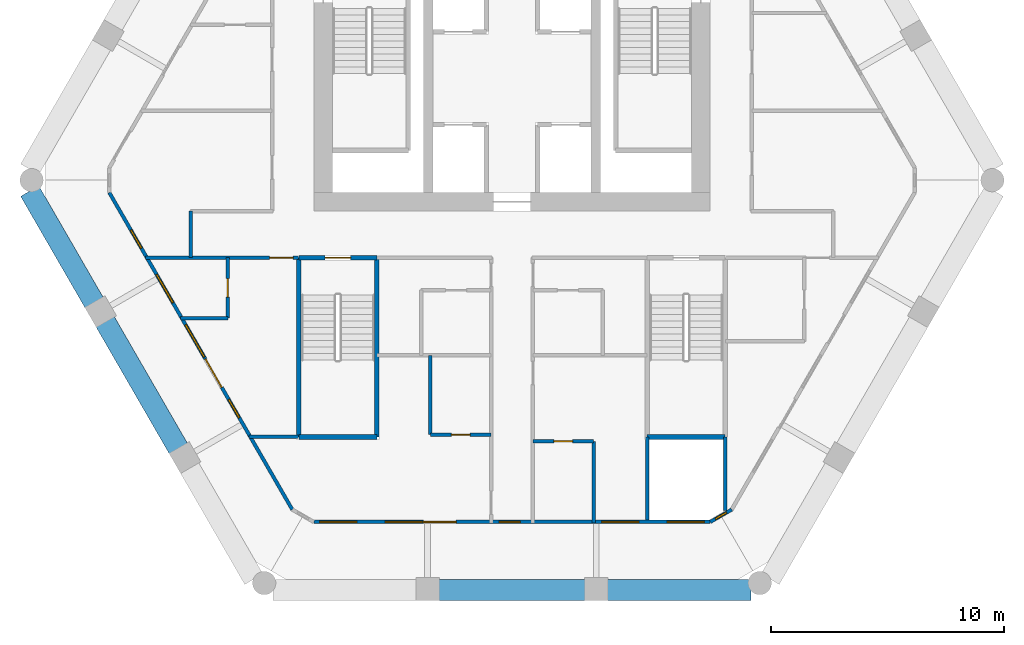
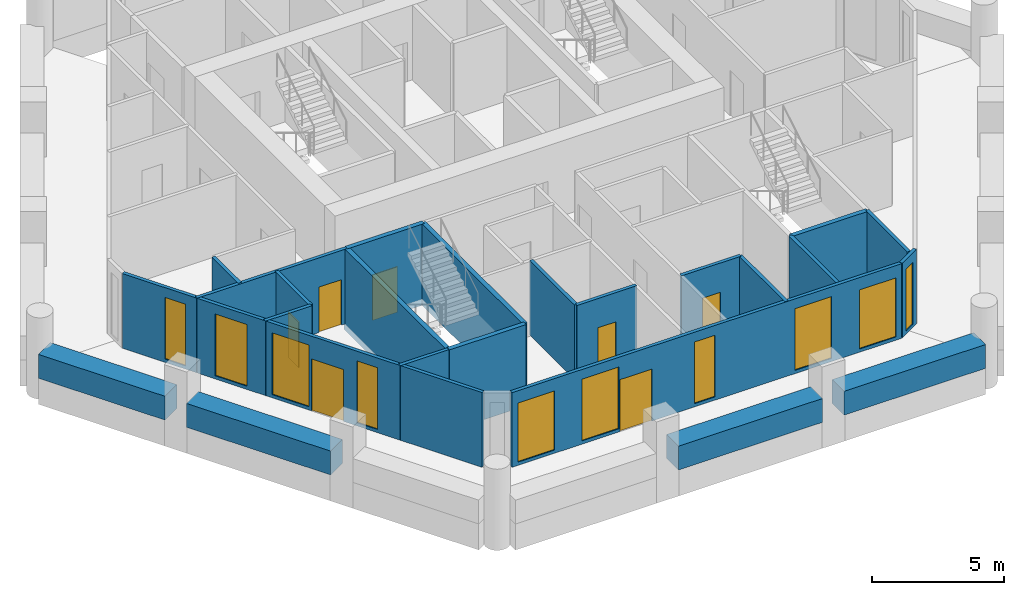
# One storey, part 2 of 7: 23 walls, 10 windows, 7 doors, 17 openings.
"""IFC4 building model written with IfcOpenShell, lengths in metres."""

from ifc_helpers import new_model, si_unit, direction, frame, frame_2d, origin, place, context, subcontext, project, spatial, rectangle, extrude, material, layer, layer_set, type_object, element, fill, save


model = new_model("IFC4")

# Units and contexts
model_context = context("Model", 3, precision=1e-05, world=origin(), true_north=direction((0.0, 1.0)))
body_context = subcontext(model_context, "Body", "Model", "MODEL_VIEW")
ifc_project = project(units=[si_unit("LENGTHUNIT", "METRE"), si_unit("AREAUNIT", "SQUARE_METRE"), si_unit("VOLUMEUNIT", "CUBIC_METRE"), si_unit("PLANEANGLEUNIT", "RADIAN"), si_unit("MASSUNIT", "GRAM", prefix="KILO")], contexts=[model_context])

# Site, building, storey
site_placement = place(None, origin())
site = spatial("IfcSite", under=ifc_project, at=site_placement, CompositionType="ELEMENT")
building_placement = place(site_placement, origin())
building = spatial("IfcBuilding", under=site, at=building_placement, Name="Ostrander Bayou Hotel Tower", CompositionType="ELEMENT")
storey_placement = place(building_placement, frame((0.0, 0.0, 172.0)))
storey = spatial("IfcBuildingStorey", under=building, at=storey_placement, Name="L42", CompositionType="ELEMENT", Elevation=172.0)

# Wall, openings, door, windows
ifc_material_1 = material(Name="Aluminium framed insulated wall", Category="aluminium")
ifc_layer_1 = layer(ifc_material_1, 0.14990234375)
ifc_layer_set_1 = layer_set([ifc_layer_1], Name="GW1 glass-line wall 150 mm")
wall_type_1 = type_object("IfcWallType", Name="GW1 glass-line wall 150 mm", PredefinedType="SOLIDWALL", material=ifc_layer_set_1)
wall_1_placement = place(storey_placement, frame((-17.28662109375, -0.908935546875, 0.0), z_axis=(0.0, 0.0, 1.0), x_axis=(0.500004460396, -0.866022828558, 0.0)))
wall_1 = element("IfcWall", 1, at=wall_1_placement, inside=storey, type_object=wall_type_1, Name="GW1 L42 SW 1", PredefinedType="SOLIDWALL", context=body_context, shape_type="SweptSolid", body=[
    extrude(rectangle(XDim=15.712158203125, YDim=0.14990234375, at=frame_2d((7.85595703125, 0.0))), origin(), (0.0, 0.0, 1.0), 3.449951171875),
])
opening_1_placement = place(wall_1_placement, frame((1.856201171875, 0.0, 0.14990234375)))
opening_1 = element("IfcOpeningElement", 2, at=opening_1_placement, cuts=wall_1, Name="Opening W17", PredefinedType="OPENING", context=body_context, shape_type="SweptSolid", body=[
    extrude(rectangle(XDim=0.89990234375, YDim=2.85009765625, at=frame_2d((0.449951171875, 1.425048828125))), frame((0.0, 0.074951171875, 0.0), z_axis=(0.0, -1.0, 0.0), x_axis=(1.0, 0.0, 0.0)), (0.0, 0.0, 1.0), 0.14990234375),
])
opening_2_placement = place(wall_1_placement, frame((4.05615234375, 0.0, 0.14990234375)))
opening_2 = element("IfcOpeningElement", 3, at=opening_2_placement, cuts=wall_1, Name="Opening W13", PredefinedType="OPENING", context=body_context, shape_type="SweptSolid", body=[
    extrude(rectangle(XDim=1.39990234375, YDim=2.85009765625, at=frame_2d((0.699951171875, 1.425048828125))), frame((0.0, 0.074951171875, 0.0), z_axis=(0.0, -1.0, 0.0), x_axis=(1.0, 0.0, 0.0)), (0.0, 0.0, 1.0), 0.14990234375),
])
opening_3_placement = place(wall_1_placement, frame((6.549072265625, 0.0, 0.14990234375)))
opening_3 = element("IfcOpeningElement", 4, at=opening_3_placement, cuts=wall_1, Name="Opening W3", PredefinedType="OPENING", context=body_context, shape_type="SweptSolid", body=[
    extrude(rectangle(XDim=1.60009765625, YDim=2.85009765625, at=frame_2d((0.800048828125, 1.425048828125))), frame((0.0, 0.074951171875, 0.0), z_axis=(0.0, -1.0, 0.0), x_axis=(1.0, 0.0, 0.0)), (0.0, 0.0, 1.0), 0.14990234375),
])
opening_4_placement = place(wall_1_placement, frame((8.256103515625, 0.0, 0.0)))
opening_4 = element("IfcOpeningElement", 5, at=opening_4_placement, cuts=wall_1, Name="Opening T41-802", PredefinedType="OPENING", context=body_context, shape_type="SweptSolid", body=[
    extrude(rectangle(XDim=1.39990234375, YDim=2.39990234375, at=frame_2d((0.699951171875, 1.199951171875))), frame((0.0, 0.074951171875, 0.0), z_axis=(0.0, -1.0, 0.0), x_axis=(1.0, 0.0, 0.0)), (0.0, 0.0, 1.0), 0.14990234375),
])
opening_5_placement = place(wall_1_placement, frame((10.256103515625, 0.0, 0.14990234375)))
opening_5 = element("IfcOpeningElement", 6, at=opening_5_placement, cuts=wall_1, Name="Opening W17", PredefinedType="OPENING", context=body_context, shape_type="SweptSolid", body=[
    extrude(rectangle(XDim=0.89990234375, YDim=2.85009765625, at=frame_2d((0.449951171875, 1.425048828125))), frame((0.0, 0.074951171875, 0.0), z_axis=(0.0, -1.0, 0.0), x_axis=(1.0, 0.0, 0.0)), (0.0, 0.0, 1.0), 0.14990234375),
])
ifc_material_2 = material(Name="Aluminium and clear glass", Category="aluminium")
door_type_1 = type_object("IfcDoorType", Name="SD3 sliding glass door 1400 mm, zone 3", OperationType="SLIDING_TO_LEFT", PredefinedType="DOOR", material=ifc_material_2)
door_1_placement = place(opening_4_placement, origin())
door_1 = element("IfcDoor", 7, at=door_1_placement, inside=storey, type_object=door_type_1, Name="SD3 L42 SW 2", OperationType="SLIDING_TO_RIGHT", OverallHeight=2.39990234375, OverallWidth=1.39990234375, PredefinedType="DOOR", context=body_context, shape_type="SweptSolid", body=[
    extrude(rectangle(XDim=1.39990234375, YDim=2.39990234375, at=frame_2d((0.699951171875, 1.199951171875))), frame((0.0, 0.02490234375, 0.0), z_axis=(0.0, -1.0, 0.0), x_axis=(1.0, 0.0, 0.0)), (0.0, 0.0, 1.0), 0.050048828125),
])
fill(opening_4, door_1)
ifc_material_3 = material(Name="Aluminium and clear glass", Category="aluminium")
window_type_1 = type_object("IfcWindowType", Name="W13 fixed window 1400 mm, bath bay, zone 3", PartitioningType="SINGLE_PANEL", PredefinedType="WINDOW", material=ifc_material_3)
window_1_placement = place(opening_2_placement, origin())
window_1 = element("IfcWindow", 8, at=window_1_placement, inside=storey, type_object=window_type_1, Name="W13 L42 SW 1", OverallHeight=2.85009765625, OverallWidth=1.39990234375, PartitioningType="SINGLE_PANEL", PredefinedType="WINDOW", context=body_context, shape_type="SweptSolid", body=[
    extrude(rectangle(XDim=1.39990234375, YDim=2.85009765625, at=frame_2d((0.699951171875, 1.425048828125))), frame((0.0, 0.030029296875, 0.0), z_axis=(0.0, -1.0, 0.0), x_axis=(1.0, 0.0, 0.0)), (0.0, 0.0, 1.0), 0.06005859375),
])
fill(opening_2, window_1)
ifc_material_4 = material(Name="Aluminium and clear glass", Category="aluminium")
window_type_2 = type_object("IfcWindowType", Name="W17 window 900 mm, zone 3", PartitioningType="SINGLE_PANEL", PredefinedType="WINDOW", material=ifc_material_4)
window_2_placement = place(opening_1_placement, origin())
window_2 = element("IfcWindow", 9, at=window_2_placement, inside=storey, type_object=window_type_2, Name="W17 L42 SW 1", OverallHeight=2.85009765625, OverallWidth=0.89990234375, PartitioningType="SINGLE_PANEL", PredefinedType="WINDOW", context=body_context, shape_type="SweptSolid", body=[
    extrude(rectangle(XDim=0.89990234375, YDim=2.85009765625, at=frame_2d((0.449951171875, 1.425048828125))), frame((0.0, 0.030029296875, 0.0), z_axis=(0.0, -1.0, 0.0), x_axis=(1.0, 0.0, 0.0)), (0.0, 0.0, 1.0), 0.06005859375),
])
fill(opening_1, window_2)
window_3_placement = place(opening_5_placement, origin())
window_3 = element("IfcWindow", 10, at=window_3_placement, inside=storey, type_object=window_type_2, Name="W17 L42 SW 3", OverallHeight=2.85009765625, OverallWidth=0.89990234375, PartitioningType="SINGLE_PANEL", PredefinedType="WINDOW", context=body_context, shape_type="SweptSolid", body=[
    extrude(rectangle(XDim=0.89990234375, YDim=2.85009765625, at=frame_2d((0.449951171875, 1.425048828125))), frame((0.0, 0.030029296875, 0.0), z_axis=(0.0, -1.0, 0.0), x_axis=(1.0, 0.0, 0.0)), (0.0, 0.0, 1.0), 0.06005859375),
])
fill(opening_5, window_3)
ifc_material_5 = material(Name="Aluminium and clear glass", Category="aluminium")
window_type_3 = type_object("IfcWindowType", Name="W3 fixed window 1600 mm, zone 3", PartitioningType="SINGLE_PANEL", PredefinedType="WINDOW", material=ifc_material_5)
window_4_placement = place(opening_3_placement, origin())
window_4 = element("IfcWindow", 11, at=window_4_placement, inside=storey, type_object=window_type_3, Name="W3 L42 SW 2", OverallHeight=2.85009765625, OverallWidth=1.60009765625, PartitioningType="SINGLE_PANEL", PredefinedType="WINDOW", context=body_context, shape_type="SweptSolid", body=[
    extrude(rectangle(XDim=1.60009765625, YDim=2.85009765625, at=frame_2d((0.800048828125, 1.425048828125))), frame((0.0, 0.030029296875, 0.0), z_axis=(0.0, -1.0, 0.0), x_axis=(1.0, 0.0, 0.0)), (0.0, 0.0, 1.0), 0.06005859375),
])
fill(opening_3, window_4)

wall_2_placement = place(storey_placement, frame((-8.508056640625, -15.048583984375, 0.0), z_axis=(0.0, 0.0, 1.0), x_axis=(1.0, 0.0, 0.0)))
wall_2 = element("IfcWall", 12, at=wall_2_placement, inside=storey, type_object=wall_type_1, Name="GW1 L42 S 1", PredefinedType="SOLIDWALL", context=body_context, shape_type="SweptSolid", body=[
    extrude(rectangle(XDim=17.01611328125, YDim=0.14990234375, at=frame_2d((8.508056640625, 0.0))), origin(), (0.0, 0.0, 1.0), 3.449951171875),
])
opening_6_placement = place(wall_2_placement, frame((3.05810546875, 0.0, 0.14990234375)))
opening_6 = element("IfcOpeningElement", 13, at=opening_6_placement, cuts=wall_2, Name="Opening W3", PredefinedType="OPENING", context=body_context, shape_type="SweptSolid", body=[
    extrude(rectangle(XDim=1.60009765625, YDim=2.85009765625, at=frame_2d((0.800048828125, 1.425048828125))), frame((0.0, 0.074951171875, 0.0), z_axis=(0.0, -1.0, 0.0), x_axis=(1.0, 0.0, 0.0)), (0.0, 0.0, 1.0), 0.14990234375),
])
opening_7_placement = place(wall_2_placement, frame((4.7080078125, 0.0, 0.0)))
opening_7 = element("IfcOpeningElement", 14, at=opening_7_placement, cuts=wall_2, Name="Opening T41-803", PredefinedType="OPENING", context=body_context, shape_type="SweptSolid", body=[
    extrude(rectangle(XDim=1.39990234375, YDim=2.39990234375, at=frame_2d((0.699951171875, 1.199951171875))), frame((0.0, 0.074951171875, 0.0), z_axis=(0.0, -1.0, 0.0), x_axis=(1.0, 0.0, 0.0)), (0.0, 0.0, 1.0), 0.14990234375),
])
opening_8_placement = place(wall_2_placement, frame((7.9580078125, 0.0, 0.14990234375)))
opening_8 = element("IfcOpeningElement", 15, at=opening_8_placement, cuts=wall_2, Name="Opening W17", PredefinedType="OPENING", context=body_context, shape_type="SweptSolid", body=[
    extrude(rectangle(XDim=0.89990234375, YDim=2.85009765625, at=frame_2d((0.449951171875, 1.425048828125))), frame((0.0, 0.074951171875, 0.0), z_axis=(0.0, -1.0, 0.0), x_axis=(1.0, 0.0, 0.0)), (0.0, 0.0, 1.0), 0.14990234375),
])
opening_9_placement = place(wall_2_placement, frame((12.358154296875, 0.0, 0.14990234375)))
opening_9 = element("IfcOpeningElement", 16, at=opening_9_placement, cuts=wall_2, Name="Opening W3", PredefinedType="OPENING", context=body_context, shape_type="SweptSolid", body=[
    extrude(rectangle(XDim=1.60009765625, YDim=2.85009765625, at=frame_2d((0.800048828125, 1.425048828125))), frame((0.0, 0.074951171875, 0.0), z_axis=(0.0, -1.0, 0.0), x_axis=(1.0, 0.0, 0.0)), (0.0, 0.0, 1.0), 0.14990234375),
])
opening_10_placement = place(wall_2_placement, frame((0.25390625, 0.0, 0.14990234375)))
opening_10 = element("IfcOpeningElement", 17, at=opening_10_placement, cuts=wall_2, Name="Opening W3", PredefinedType="OPENING", context=body_context, shape_type="SweptSolid", body=[
    extrude(rectangle(XDim=1.60009765625, YDim=2.72998046875, at=frame_2d((0.800048828125, 1.364990234375))), frame((0.0, 0.074951171875, 0.0), z_axis=(0.0, -1.0, 0.0), x_axis=(1.0, 0.0, 0.0)), (0.0, 0.0, 1.0), 0.14990234375),
])
opening_11_placement = place(wall_2_placement, frame((15.162109375, 0.0, 0.14990234375)))
opening_11 = element("IfcOpeningElement", 18, at=opening_11_placement, cuts=wall_2, Name="Opening W3", PredefinedType="OPENING", context=body_context, shape_type="SweptSolid", body=[
    extrude(rectangle(XDim=1.60009765625, YDim=2.72998046875, at=frame_2d((0.800048828125, 1.364990234375))), frame((0.0, 0.074951171875, 0.0), z_axis=(0.0, -1.0, 0.0), x_axis=(1.0, 0.0, 0.0)), (0.0, 0.0, 1.0), 0.14990234375),
])
door_2_placement = place(opening_7_placement, origin())
door_2 = element("IfcDoor", 19, at=door_2_placement, inside=storey, type_object=door_type_1, Name="SD3 L42 S 1", OperationType="SLIDING_TO_LEFT", OverallHeight=2.39990234375, OverallWidth=1.39990234375, PredefinedType="DOOR", context=body_context, shape_type="SweptSolid", body=[
    extrude(rectangle(XDim=1.39990234375, YDim=2.39990234375, at=frame_2d((0.699951171875, 1.199951171875))), frame((0.0, 0.02490234375, 0.0), z_axis=(0.0, -1.0, 0.0), x_axis=(1.0, 0.0, 0.0)), (0.0, 0.0, 1.0), 0.050048828125),
])
fill(opening_7, door_2)
window_5_placement = place(opening_8_placement, origin())
window_5 = element("IfcWindow", 20, at=window_5_placement, inside=storey, type_object=window_type_2, Name="W17 L42 S 2", OverallHeight=2.85009765625, OverallWidth=0.89990234375, PartitioningType="SINGLE_PANEL", PredefinedType="WINDOW", context=body_context, shape_type="SweptSolid", body=[
    extrude(rectangle(XDim=0.89990234375, YDim=2.85009765625, at=frame_2d((0.449951171875, 1.425048828125))), frame((0.0, 0.030029296875, 0.0), z_axis=(0.0, -1.0, 0.0), x_axis=(1.0, 0.0, 0.0)), (0.0, 0.0, 1.0), 0.06005859375),
])
fill(opening_8, window_5)
window_6_placement = place(opening_6_placement, origin())
window_6 = element("IfcWindow", 21, at=window_6_placement, inside=storey, type_object=window_type_3, Name="W3 L42 S 1", OverallHeight=2.85009765625, OverallWidth=1.60009765625, PartitioningType="SINGLE_PANEL", PredefinedType="WINDOW", context=body_context, shape_type="SweptSolid", body=[
    extrude(rectangle(XDim=1.60009765625, YDim=2.85009765625, at=frame_2d((0.800048828125, 1.425048828125))), frame((0.0, 0.030029296875, 0.0), z_axis=(0.0, -1.0, 0.0), x_axis=(1.0, 0.0, 0.0)), (0.0, 0.0, 1.0), 0.06005859375),
])
fill(opening_6, window_6)
window_7_placement = place(opening_9_placement, origin())
window_7 = element("IfcWindow", 22, at=window_7_placement, inside=storey, type_object=window_type_3, Name="W3 L42 S 3", OverallHeight=2.85009765625, OverallWidth=1.60009765625, PartitioningType="SINGLE_PANEL", PredefinedType="WINDOW", context=body_context, shape_type="SweptSolid", body=[
    extrude(rectangle(XDim=1.60009765625, YDim=2.85009765625, at=frame_2d((0.800048828125, 1.425048828125))), frame((0.0, 0.030029296875, 0.0), z_axis=(0.0, -1.0, 0.0), x_axis=(1.0, 0.0, 0.0)), (0.0, 0.0, 1.0), 0.06005859375),
])
fill(opening_9, window_7)
window_8_placement = place(opening_10_placement, origin())
window_8 = element("IfcWindow", 23, at=window_8_placement, inside=storey, type_object=window_type_3, Name="W3 L42 S E11", OverallHeight=2.72998046875, OverallWidth=1.60009765625, PartitioningType="SINGLE_PANEL", PredefinedType="WINDOW", context=body_context, shape_type="SweptSolid", body=[
    extrude(rectangle(XDim=1.60009765625, YDim=2.72998046875, at=frame_2d((0.800048828125, 1.364990234375))), frame((0.0, 0.030029296875, 0.0), z_axis=(0.0, -1.0, 0.0), x_axis=(1.0, 0.0, 0.0)), (0.0, 0.0, 1.0), 0.06005859375),
])
fill(opening_10, window_8)
window_9_placement = place(opening_11_placement, origin())
window_9 = element("IfcWindow", 24, at=window_9_placement, inside=storey, type_object=window_type_3, Name="W3 L42 S E21", OverallHeight=2.72998046875, OverallWidth=1.60009765625, PartitioningType="SINGLE_PANEL", PredefinedType="WINDOW", context=body_context, shape_type="SweptSolid", body=[
    extrude(rectangle(XDim=1.60009765625, YDim=2.72998046875, at=frame_2d((0.800048828125, 1.364990234375))), frame((0.0, 0.030029296875, 0.0), z_axis=(0.0, -1.0, 0.0), x_axis=(1.0, 0.0, 0.0)), (0.0, 0.0, 1.0), 0.06005859375),
])
fill(opening_11, window_9)

# Wall, opening, window
wall_3_placement = place(storey_placement, frame((8.508056640625, -15.048583984375, 0.0), z_axis=(0.0, 0.0, 1.0), x_axis=(0.866048165231, 0.499960573946, 0.0)))
wall_3 = element("IfcWall", 25, at=wall_3_placement, inside=storey, type_object=wall_type_1, Name="GW1 L42 corner 4", PredefinedType="SOLIDWALL", context=body_context, shape_type="SweptSolid", body=[
    extrude(rectangle(XDim=1.06494140625, YDim=0.14990234375, at=frame_2d((0.532470703125, 0.0))), origin(), (0.0, 0.0, 1.0), 3.449951171875),
])
opening_12_placement = place(wall_3_placement, frame((0.257568359375, 0.0, 0.14990234375)))
opening_12 = element("IfcOpeningElement", 26, at=opening_12_placement, cuts=wall_3, Name="Opening W19", PredefinedType="OPENING", context=body_context, shape_type="SweptSolid", body=[
    extrude(rectangle(XDim=0.550048828125, YDim=2.85009765625, at=frame_2d((0.27490234375, 1.425048828125))), frame((0.0, 0.074951171875, 0.0), z_axis=(0.0, -1.0, 0.0), x_axis=(1.0, 0.0, 0.0)), (0.0, 0.0, 1.0), 0.14990234375),
])
ifc_material_6 = material(Name="Aluminium and clear glass", Category="aluminium")
window_type_4 = type_object("IfcWindowType", Name="W19 corner window 550 mm", PartitioningType="SINGLE_PANEL", PredefinedType="WINDOW", material=ifc_material_6)
window_10_placement = place(opening_12_placement, origin())
window_10 = element("IfcWindow", 27, at=window_10_placement, inside=storey, type_object=window_type_4, Name="W19 L42 corner 4", OverallHeight=2.85009765625, OverallWidth=0.550048828125, PartitioningType="SINGLE_PANEL", PredefinedType="WINDOW", context=body_context, shape_type="SweptSolid", body=[
    extrude(rectangle(XDim=0.550048828125, YDim=2.85009765625, at=frame_2d((0.27490234375, 1.425048828125))), frame((0.0, 0.030029296875, 0.0), z_axis=(0.0, -1.0, 0.0), x_axis=(1.0, 0.0, 0.0)), (0.0, 0.0, 1.0), 0.06005859375),
])
fill(opening_12, window_10)

# Walls
ifc_material_7 = material(Name="Concrete f'c 40 MPa", Category="concrete")
ifc_layer_2 = layer(ifc_material_7, 0.89990234375)
ifc_layer_set_2 = layer_set([ifc_layer_2], Name="PA1 stone-faced parapet 900 mm")
wall_type_2 = type_object("IfcWallType", Name="PA1 stone-faced parapet 900 mm", PredefinedType="PARAPET", material=ifc_layer_set_2)
wall_4_placement = place(storey_placement, frame((-3.148193359375, -17.9736328125, 0.0), z_axis=(0.0, 0.0, 1.0), x_axis=(1.0, 0.0, 0.0)))
element("IfcWall", 28, at=wall_4_placement, inside=storey, type_object=wall_type_2, Name="PA1 L42 S-2", PredefinedType="PARAPET", context=body_context, shape_type="SweptSolid", body=[
    extrude(rectangle(XDim=6.29638671875, YDim=0.89990234375, at=frame_2d((3.148193359375, 0.0))), origin(), (0.0, 0.0, 1.0), 1.10009765625),
])
wall_5_placement = place(storey_placement, frame((4.088134765625, -17.9736328125, 0.0), z_axis=(0.0, 0.0, 1.0), x_axis=(1.0, 0.0, 0.0)))
element("IfcWall", 29, at=wall_5_placement, inside=storey, type_object=wall_type_2, Name="PA1 L42 S-3", PredefinedType="PARAPET", context=body_context, shape_type="SweptSolid", body=[
    extrude(rectangle(XDim=6.18115234375, YDim=0.89990234375, at=frame_2d((3.090576171875, 0.0))), origin(), (0.0, 0.0, 1.0), 1.10009765625),
])
ifc_material_8 = material(Name="Limestone masonry", Category="masonry")
ifc_layer_3 = layer(ifc_material_8, 0.89990234375)
ifc_layer_set_3 = layer_set([ifc_layer_3], Name="PA2 limestone parapet 900 mm")
wall_type_3 = type_object("IfcWallType", Name="PA2 limestone parapet 900 mm", PredefinedType="PARAPET", material=ifc_layer_set_3)
wall_6_placement = place(storey_placement, frame((-20.7001953125, -0.84619140625, 0.0), z_axis=(0.0, 0.0, 1.0), x_axis=(0.500014212531, -0.86601719802, 0.0)))
element("IfcWall", 30, at=wall_6_placement, inside=storey, type_object=wall_type_3, Name="PA2 L42 SW-1", PredefinedType="PARAPET", context=body_context, shape_type="SweptSolid", body=[
    extrude(rectangle(XDim=5.529052734375, YDim=0.89990234375, at=frame_2d((2.7646484375, 0.0))), origin(), (0.0, 0.0, 1.0), 1.10009765625),
])
wall_7_placement = place(storey_placement, frame((-17.465576171875, -6.44873046875, 0.0), z_axis=(0.0, 0.0, 1.0), x_axis=(0.500013351051, -0.866017695414, 0.0)))
element("IfcWall", 31, at=wall_7_placement, inside=storey, type_object=wall_type_3, Name="PA2 L42 SW-2", PredefinedType="PARAPET", context=body_context, shape_type="SweptSolid", body=[
    extrude(rectangle(XDim=6.296142578125, YDim=0.89990234375, at=frame_2d((3.14794921875, 0.0))), origin(), (0.0, 0.0, 1.0), 1.10009765625),
])
ifc_material_9 = material(Name="Gypsum board partition", Category="finish")
ifc_layer_4 = layer(ifc_material_9, 0.14990234375)
ifc_layer_set_4 = layer_set([ifc_layer_4], Name="PT7 riser wall 150 mm, 2 hour")
wall_type_4 = type_object("IfcWallType", Name="PT7 riser wall 150 mm, 2 hour", PredefinedType="PARTITIONING", material=ifc_layer_set_4)
wall_8_placement = place(storey_placement, frame((5.800048828125, -11.39990234375, 0.0), z_axis=(0.0, 0.0, 1.0), x_axis=(0.0, -1.0, 0.0)))
element("IfcWall", 32, at=wall_8_placement, inside=storey, type_object=wall_type_4, Name="cs:L42:017", PredefinedType="PARTITIONING", context=body_context, shape_type="SweptSolid", body=[
    extrude(rectangle(XDim=3.57373046875, YDim=0.14990234375, at=frame_2d((1.786865234375, 0.0))), origin(), (0.0, 0.0, 1.0), 3.449951171875),
])
wall_9_placement = place(storey_placement, frame((9.14990234375, -11.39990234375, 0.0), z_axis=(0.0, 0.0, 1.0), x_axis=(0.0, -1.0, 0.0)))
element("IfcWall", 33, at=wall_9_placement, inside=storey, type_object=wall_type_4, Name="cs:L42:018", PredefinedType="PARTITIONING", context=body_context, shape_type="SweptSolid", body=[
    extrude(rectangle(XDim=3.159912109375, YDim=0.14990234375, at=frame_2d((1.580078125, 0.0))), origin(), (0.0, 0.0, 1.0), 3.449951171875),
])

# Wall, opening, door
ifc_material_10 = material(Name="Gypsum board partition", Category="finish")
ifc_layer_5 = layer(ifc_material_10, 0.14990234375)
ifc_layer_set_5 = layer_set([ifc_layer_5], Name="PT8 service band wall 150 mm, 1 hour")
wall_type_5 = type_object("IfcWallType", Name="PT8 service band wall 150 mm, 1 hour", PredefinedType="PARTITIONING", material=ifc_layer_set_5)
wall_10_placement = place(storey_placement, frame((0.89990234375, -11.5849609375, 0.0), z_axis=(0.0, 0.0, 1.0), x_axis=(1.0, 0.0, 0.0)))
wall_10 = element("IfcWall", 34, at=wall_10_placement, inside=storey, type_object=wall_type_5, Name="gw:L42:001", PredefinedType="PARTITIONING", context=body_context, shape_type="SweptSolid", body=[
    extrude(rectangle(XDim=2.60009765625, YDim=0.14990234375, at=frame_2d((1.300048828125, 0.0))), origin(), (0.0, 0.0, 1.0), 3.449951171875),
])
opening_13_placement = place(wall_10_placement, frame((0.89990234375, 0.0, 0.0)))
opening_13 = element("IfcOpeningElement", 35, at=opening_13_placement, cuts=wall_10, Name="Opening T41-409", PredefinedType="OPENING", context=body_context, shape_type="SweptSolid", body=[
    extrude(rectangle(XDim=0.800048828125, YDim=2.10009765625, at=frame_2d((0.39990234375, 1.050048828125))), frame((0.0, 0.074951171875, 0.0), z_axis=(0.0, -1.0, 0.0), x_axis=(1.0, 0.0, 0.0)), (0.0, 0.0, 1.0), 0.14990234375),
])
ifc_material_11 = material(Name="Timber door leaf", Category="wood")
door_type_2 = type_object("IfcDoorType", Name="D2 bathroom door 800 x 2100 mm", OperationType="SINGLE_SWING_LEFT", PredefinedType="DOOR", material=ifc_material_11)
door_3_placement = place(opening_13_placement, origin())
door_3 = element("IfcDoor", 36, at=door_3_placement, inside=storey, type_object=door_type_2, Name="dr:L42:409", OperationType="SINGLE_SWING_LEFT", OverallHeight=2.10009765625, OverallWidth=0.800048828125, PredefinedType="DOOR", context=body_context, shape_type="SweptSolid", body=[
    extrude(rectangle(XDim=0.800048828125, YDim=2.10009765625, at=frame_2d((0.39990234375, 1.050048828125))), frame((0.0, 0.02490234375, 0.0), z_axis=(0.0, -1.0, 0.0), x_axis=(1.0, 0.0, 0.0)), (0.0, 0.0, 1.0), 0.050048828125),
])
fill(opening_13, door_3)

# Wall
wall_11_placement = place(storey_placement, frame((-11.281005859375, -11.39990234375, 0.0), z_axis=(0.0, 0.0, 1.0), x_axis=(1.0, 0.0, 0.0)))
element("IfcWall", 37, at=wall_11_placement, inside=storey, type_object=wall_type_5, Name="gw:L42:002", PredefinedType="PARTITIONING", context=body_context, shape_type="SweptSolid", body=[
    extrude(rectangle(XDim=2.12109375, YDim=0.14990234375, at=frame_2d((1.060546875, 0.0))), origin(), (0.0, 0.0, 1.0), 3.449951171875),
])

# Wall, opening, door
wall_12_placement = place(storey_placement, frame((-3.5, -11.300048828125, 0.0), z_axis=(0.0, 0.0, 1.0), x_axis=(1.0, 0.0, 0.0)))
wall_12 = element("IfcWall", 38, at=wall_12_placement, inside=storey, type_object=wall_type_5, Name="gw:L42:003", PredefinedType="PARTITIONING", context=body_context, shape_type="SweptSolid", body=[
    extrude(rectangle(XDim=2.60009765625, YDim=0.14990234375, at=frame_2d((1.300048828125, 0.0))), origin(), (0.0, 0.0, 1.0), 3.449951171875),
])
opening_14_placement = place(wall_12_placement, frame((0.89990234375, 0.0, 0.0)))
opening_14 = element("IfcOpeningElement", 39, at=opening_14_placement, cuts=wall_12, Name="Opening T41-405", PredefinedType="OPENING", context=body_context, shape_type="SweptSolid", body=[
    extrude(rectangle(XDim=0.800048828125, YDim=2.10009765625, at=frame_2d((0.39990234375, 1.050048828125))), frame((0.0, 0.074951171875, 0.0), z_axis=(0.0, -1.0, 0.0), x_axis=(1.0, 0.0, 0.0)), (0.0, 0.0, 1.0), 0.14990234375),
])
door_4_placement = place(opening_14_placement, origin())
door_4 = element("IfcDoor", 40, at=door_4_placement, inside=storey, type_object=door_type_2, Name="dr:L42:405", OperationType="SINGLE_SWING_RIGHT", OverallHeight=2.10009765625, OverallWidth=0.800048828125, PredefinedType="DOOR", context=body_context, shape_type="SweptSolid", body=[
    extrude(rectangle(XDim=0.800048828125, YDim=2.10009765625, at=frame_2d((0.39990234375, 1.050048828125))), frame((0.0, 0.02490234375, 0.0), z_axis=(0.0, -1.0, 0.0), x_axis=(1.0, 0.0, 0.0)), (0.0, 0.0, 1.0), 0.050048828125),
])
fill(opening_14, door_4)

# Wall
wall_13_placement = place(storey_placement, frame((-14.22607421875, -6.300048828125, 0.0), z_axis=(0.0, 0.0, 1.0), x_axis=(1.0, 0.0, 0.0)))
element("IfcWall", 41, at=wall_13_placement, inside=storey, type_object=wall_type_5, Name="gw:L42:007", PredefinedType="PARTITIONING", context=body_context, shape_type="SweptSolid", body=[
    extrude(rectangle(XDim=2.026123046875, YDim=0.14990234375, at=frame_2d((1.01318359375, 0.0))), origin(), (0.0, 0.0, 1.0), 3.449951171875),
])

# Wall, opening, door
wall_14_placement = place(storey_placement, frame((-15.72705078125, -3.699951171875, 0.0), z_axis=(0.0, 0.0, 1.0), x_axis=(1.0, 0.0, 0.0)))
wall_14 = element("IfcWall", 42, at=wall_14_placement, inside=storey, type_object=wall_type_5, Name="gw:L42:010", PredefinedType="PARTITIONING", context=body_context, shape_type="SweptSolid", body=[
    extrude(rectangle(XDim=6.567138671875, YDim=0.14990234375, at=frame_2d((3.28369140625, 0.0))), origin(), (0.0, 0.0, 1.0), 3.449951171875),
])
opening_15_placement = place(wall_14_placement, frame((5.326904296875, 0.0, 0.0)))
opening_15 = element("IfcOpeningElement", 43, at=opening_15_placement, cuts=wall_14, Name="Opening T41-400", PredefinedType="OPENING", context=body_context, shape_type="SweptSolid", body=[
    extrude(rectangle(XDim=1.0, YDim=2.10009765625, at=frame_2d((0.5, 1.050048828125))), frame((0.0, 0.074951171875, 0.0), z_axis=(0.0, -1.0, 0.0), x_axis=(1.0, 0.0, 0.0)), (0.0, 0.0, 1.0), 0.14990234375),
])
ifc_material_12 = material(Name="Timber door leaf", Category="wood")
door_type_3 = type_object("IfcDoorType", Name="D1 guest room door 1000 x 2100 mm, 30 minute", OperationType="SINGLE_SWING_LEFT", PredefinedType="DOOR", material=ifc_material_12)
door_5_placement = place(opening_15_placement, origin())
door_5 = element("IfcDoor", 44, at=door_5_placement, inside=storey, type_object=door_type_3, Name="dr:L42:400", OperationType="SINGLE_SWING_RIGHT", OverallHeight=2.10009765625, OverallWidth=1.0, PredefinedType="DOOR", context=body_context, shape_type="SweptSolid", body=[
    extrude(rectangle(XDim=1.0, YDim=2.10009765625, at=frame_2d((0.5, 1.050048828125))), frame((0.0, 0.02490234375, 0.0), z_axis=(0.0, -1.0, 0.0), x_axis=(1.0, 0.0, 0.0)), (0.0, 0.0, 1.0), 0.050048828125),
])
fill(opening_15, door_5)

# Walls
wall_15_placement = place(storey_placement, frame((3.5, -15.093994140625, 0.0), z_axis=(0.0, 0.0, 1.0), x_axis=(0.0, 1.0, 0.0)))
element("IfcWall", 45, at=wall_15_placement, inside=storey, type_object=wall_type_5, Name="gw:L42:030", PredefinedType="PARTITIONING", context=body_context, shape_type="SweptSolid", body=[
    extrude(rectangle(XDim=3.509033203125, YDim=0.14990234375, at=frame_2d((1.75439453125, 0.0))), origin(), (0.0, 0.0, 1.0), 3.449951171875),
])
wall_16_placement = place(storey_placement, frame((-3.5, -11.300048828125, 0.0), z_axis=(0.0, 0.0, 1.0), x_axis=(0.0, 1.0, 0.0)))
element("IfcWall", 46, at=wall_16_placement, inside=storey, type_object=wall_type_5, Name="gw:L42:033", PredefinedType="PARTITIONING", context=body_context, shape_type="SweptSolid", body=[
    extrude(rectangle(XDim=3.400146484375, YDim=0.14990234375, at=frame_2d((1.7001953125, 0.0))), origin(), (0.0, 0.0, 1.0), 3.449951171875),
])

# Wall, opening, door
wall_17_placement = place(storey_placement, frame((-12.199951171875, -6.300048828125, 0.0), z_axis=(0.0, 0.0, 1.0), x_axis=(0.0, 1.0, 0.0)))
wall_17 = element("IfcWall", 47, at=wall_17_placement, inside=storey, type_object=wall_type_5, Name="gw:L42:037", PredefinedType="PARTITIONING", context=body_context, shape_type="SweptSolid", body=[
    extrude(rectangle(XDim=2.60009765625, YDim=0.14990234375, at=frame_2d((1.300048828125, 0.0))), origin(), (0.0, 0.0, 1.0), 3.449951171875),
])
opening_16_placement = place(wall_17_placement, frame((0.89990234375, 0.0, 0.0)))
opening_16 = element("IfcOpeningElement", 48, at=opening_16_placement, cuts=wall_17, Name="Opening T41-401", PredefinedType="OPENING", context=body_context, shape_type="SweptSolid", body=[
    extrude(rectangle(XDim=0.800048828125, YDim=2.10009765625, at=frame_2d((0.39990234375, 1.050048828125))), frame((0.0, 0.074951171875, 0.0), z_axis=(0.0, -1.0, 0.0), x_axis=(1.0, 0.0, 0.0)), (0.0, 0.0, 1.0), 0.14990234375),
])
door_6_placement = place(opening_16_placement, origin())
door_6 = element("IfcDoor", 49, at=door_6_placement, inside=storey, type_object=door_type_2, Name="dr:L42:401", OperationType="SINGLE_SWING_RIGHT", OverallHeight=2.10009765625, OverallWidth=0.800048828125, PredefinedType="DOOR", context=body_context, shape_type="SweptSolid", body=[
    extrude(rectangle(XDim=0.800048828125, YDim=2.10009765625, at=frame_2d((0.39990234375, 1.050048828125))), frame((0.0, 0.02490234375, 0.0), z_axis=(0.0, -1.0, 0.0), x_axis=(1.0, 0.0, 0.0)), (0.0, 0.0, 1.0), 0.050048828125),
])
fill(opening_16, door_6)

# Walls
wall_18_placement = place(storey_placement, frame((-13.800048828125, -3.699951171875, 0.0), z_axis=(0.0, 0.0, 1.0), x_axis=(0.0, 1.0, 0.0)))
element("IfcWall", 50, at=wall_18_placement, inside=storey, type_object=wall_type_5, Name="gw:L42:038", PredefinedType="PARTITIONING", context=body_context, shape_type="SweptSolid", body=[
    extrude(rectangle(XDim=2.0, YDim=0.14990234375, at=frame_2d((1.0, 0.0))), origin(), (0.0, 0.0, 1.0), 3.449951171875),
])
ifc_material_13 = material(Name="Concrete f'c 45 MPa", Category="concrete")
ifc_layer_6 = layer(ifc_material_13, 0.199951171875)
ifc_layer_set_6 = layer_set([ifc_layer_6], Name="SW5 stair enclosure wall 200 mm f'c 45 MPa")
wall_type_6 = type_object("IfcWallType", Name="SW5 stair enclosure wall 200 mm f'c 45 MPa", PredefinedType="SOLIDWALL", material=ifc_layer_set_6)
wall_19_placement = place(storey_placement, frame((5.800048828125, -11.39990234375, -0.300048828125), z_axis=(0.0, 0.0, 1.0), x_axis=(1.0, 0.0, 0.0)))
element("IfcWall", 51, at=wall_19_placement, inside=storey, type_object=wall_type_6, Name="cs:L42:016", PredefinedType="SOLIDWALL", context=body_context, shape_type="SweptSolid", body=[
    extrude(rectangle(XDim=3.349853515625, YDim=0.199951171875, at=frame_2d((1.6748046875, 0.0))), origin(), (0.0, 0.0, 1.0), 3.75),
])

# Wall, opening, door
wall_20_placement = place(storey_placement, frame((-9.14990234375, -3.699951171875, -0.300048828125), z_axis=(0.0, 0.0, 1.0), x_axis=(1.0, 0.0, 0.0)))
wall_20 = element("IfcWall", 52, at=wall_20_placement, inside=storey, type_object=wall_type_6, Name="cs:L42:019", PredefinedType="SOLIDWALL", context=body_context, shape_type="SweptSolid", body=[
    extrude(rectangle(XDim=3.349853515625, YDim=0.199951171875, at=frame_2d((1.6748046875, 0.0))), origin(), (0.0, 0.0, 1.0), 3.75),
])
opening_17_placement = place(wall_20_placement, frame((1.125, 0.0, 0.0)))
opening_17 = element("IfcOpeningElement", 53, at=opening_17_placement, cuts=wall_20, Name="Opening T41-012", PredefinedType="OPENING", context=body_context, shape_type="SweptSolid", body=[
    extrude(rectangle(XDim=1.10009765625, YDim=2.10009765625, at=frame_2d((0.550048828125, 1.050048828125))), frame((0.0, 0.10009765625, 0.0), z_axis=(0.0, -1.0, 0.0), x_axis=(1.0, 0.0, 0.0)), (0.0, 0.0, 1.0), 0.199951171875),
])
ifc_material_14 = material(Name="Timber door leaf", Category="wood")
door_type_4 = type_object("IfcDoorType", Name="D5 stair door 1100 x 2100 mm, 90 minute", OperationType="SINGLE_SWING_LEFT", PredefinedType="DOOR", material=ifc_material_14)
door_7_placement = place(opening_17_placement, origin())
door_7 = element("IfcDoor", 54, at=door_7_placement, inside=storey, type_object=door_type_4, Name="dr:L42:012", OperationType="SINGLE_SWING_LEFT", OverallHeight=2.10009765625, OverallWidth=1.10009765625, PredefinedType="DOOR", context=body_context, shape_type="SweptSolid", body=[
    extrude(rectangle(XDim=1.10009765625, YDim=2.10009765625, at=frame_2d((0.550048828125, 1.050048828125))), frame((0.0, 0.02490234375, 0.0), z_axis=(0.0, -1.0, 0.0), x_axis=(1.0, 0.0, 0.0)), (0.0, 0.0, 1.0), 0.050048828125),
])
fill(opening_17, door_7)

# Walls
for number, where, z_axis, x_axis, name in (
    (55, (-9.14990234375, -3.699951171875, -0.300048828125), (0.0, 0.0, 1.0), (0.0, -1.0, 0.0), "cs:L42:020"),
    (56, (-5.800048828125, -3.699951171875, -0.300048828125), (0.0, 0.0, 1.0), (0.0, -1.0, 0.0), "cs:L42:021"),
):
    element("IfcWall", number, at=place(storey_placement, frame(where, z_axis=z_axis, x_axis=x_axis)), inside=storey, type_object=wall_type_6, Name=name, PredefinedType="SOLIDWALL", context=body_context, shape_type="SweptSolid", body=[
        extrude(rectangle(XDim=7.699951171875, YDim=0.199951171875, at=frame_2d((3.85009765625, 0.0))), origin(), (0.0, 0.0, 1.0), 3.75),
    ])
wall_21_placement = place(storey_placement, frame((-9.14990234375, -11.39990234375, -0.300048828125), z_axis=(0.0, 0.0, 1.0), x_axis=(1.0, 0.0, 0.0)))
element("IfcWall", 57, at=wall_21_placement, inside=storey, type_object=wall_type_6, Name="cs:L42:022", PredefinedType="SOLIDWALL", context=body_context, shape_type="SweptSolid", body=[
    extrude(rectangle(XDim=3.349853515625, YDim=0.199951171875, at=frame_2d((1.6748046875, 0.0))), origin(), (0.0, 0.0, 1.0), 3.75),
])

save(model, "model.ifc")
